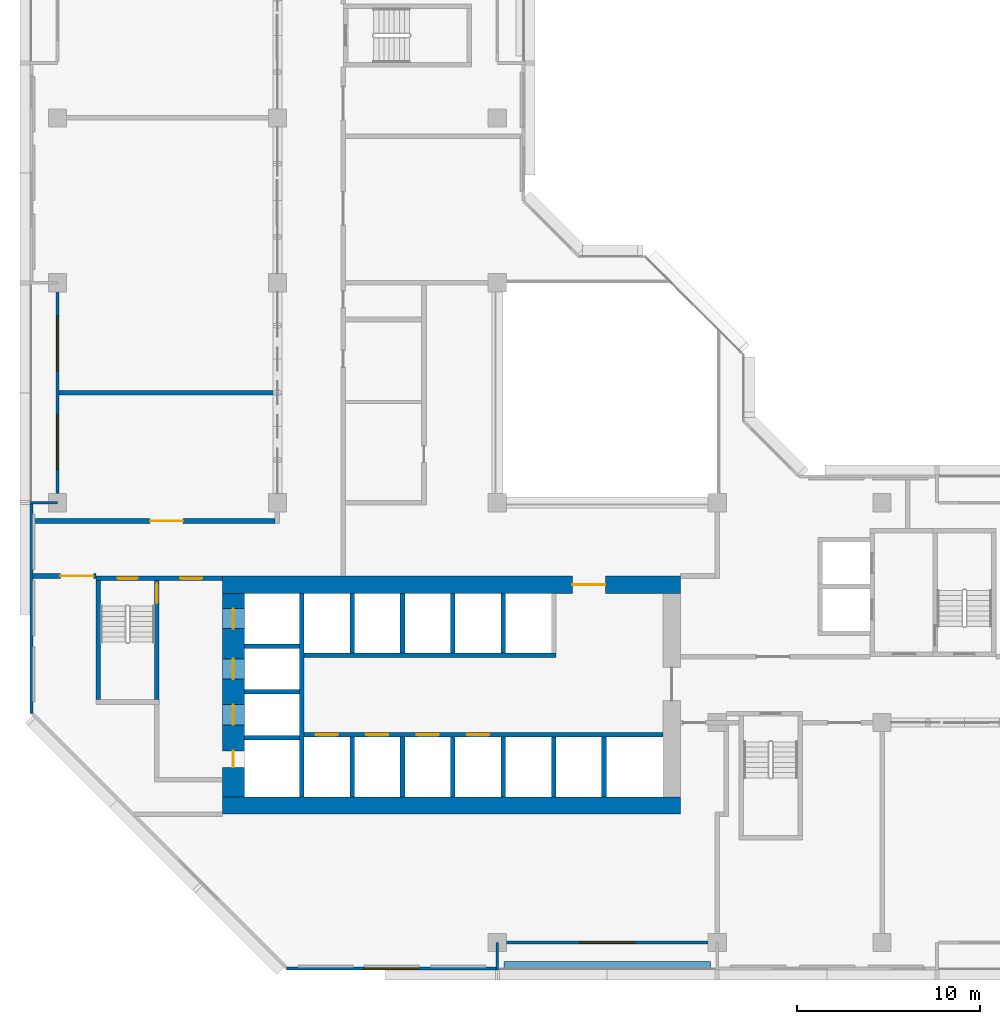
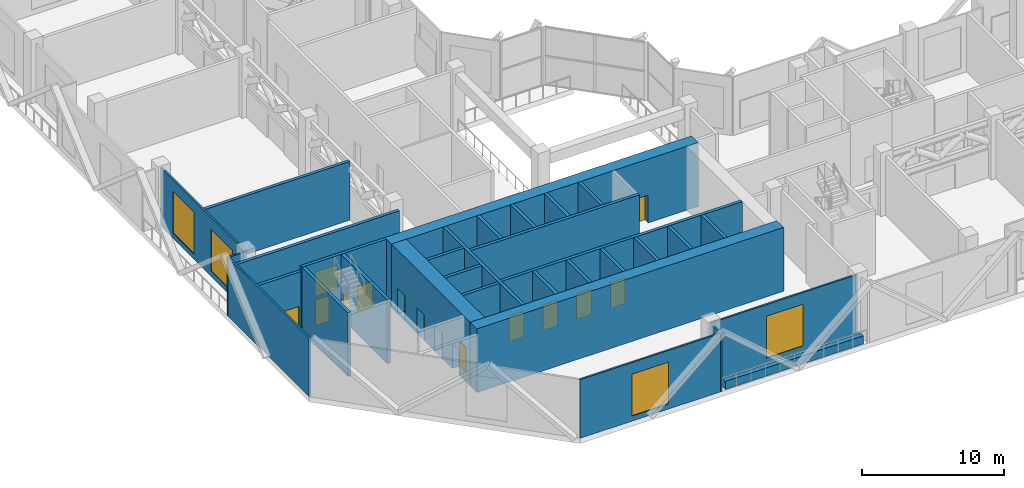
# One storey, part 6 of 15: 32 walls, 14 doors, 4 windows, 18 openings.
"""IFC4 building model written with IfcOpenShell, lengths in metres."""

from ifc_helpers import new_model, si_unit, direction, frame, frame_2d, origin, place, context, subcontext, project, spatial, rectangle, extrude, material, layer, layer_set, type_object, element, fill, save


model = new_model("IFC4")

# Units and contexts
model_context = context("Model", 3, precision=1e-05, world=origin(), true_north=direction((0.0, 1.0)))
body_context = subcontext(model_context, "Body", "Model", "MODEL_VIEW")
ifc_project = project(units=[si_unit("LENGTHUNIT", "METRE"), si_unit("AREAUNIT", "SQUARE_METRE"), si_unit("VOLUMEUNIT", "CUBIC_METRE"), si_unit("PLANEANGLEUNIT", "RADIAN"), si_unit("MASSUNIT", "GRAM", prefix="KILO")], contexts=[model_context])

# Site, building, storey
site_placement = place(None, origin())
site = spatial("IfcSite", under=ifc_project, at=site_placement, CompositionType="ELEMENT")
building_placement = place(site_placement, origin())
building = spatial("IfcBuilding", under=site, at=building_placement, Name="Chenar Terraces", CompositionType="ELEMENT")
storey_placement = place(building_placement, frame((0.0, 0.0, 140.64990234375)))
storey = spatial("IfcBuildingStorey", under=building, at=storey_placement, Name="L33", CompositionType="ELEMENT", Elevation=140.64990234375)

# Wall, openings, doors
ifc_material_1 = material(Name="Concrete C70/85", Category="concrete")
ifc_layer_1 = layer(ifc_material_1, 1.199951171875)
ifc_layer_set_1 = layer_set([ifc_layer_1], Name="Concrete C70/85")
wall_type_1 = type_object("IfcWallType", Name="Core wall 1200 Concrete C70/85", PredefinedType="SHEAR", material=ifc_layer_set_1)
wall_1_placement = place(storey_placement, frame((9.60009765625, 7.949951171875, 0.0), z_axis=(0.0, 0.0, 1.0), x_axis=(0.0, 1.0, 0.0)))
wall_1 = element("IfcWall", 1, at=wall_1_placement, inside=storey, type_object=wall_type_1, Name="Core wall W L33", PredefinedType="SHEAR", context=body_context, shape_type="SweptSolid", body=[
    extrude(rectangle(XDim=11.10009765625, YDim=1.199951171875, at=frame_2d((5.550048828125, 0.0))), origin(), (0.0, 0.0, 1.0), 5.5),
])
opening_1_placement = place(wall_1_placement, frame((3.925048828125, 0.0, 0.0)))
opening_1 = element("IfcOpeningElement", 2, at=opening_1_placement, cuts=wall_1, Name="Opening DL33-LD5", PredefinedType="OPENING", context=body_context, shape_type="SweptSolid", body=[
    extrude(rectangle(XDim=1.10009765625, YDim=2.199951171875, at=frame_2d((0.550048828125, 1.10009765625))), frame((0.0, 0.60986328125, 0.0), z_axis=(0.0, -1.0, 0.0), x_axis=(1.0, 0.0, 0.0)), (0.0, 0.0, 1.0), 1.219970703125),
])
opening_2_placement = place(wall_1_placement, frame((6.425048828125, 0.0, 0.0)))
opening_2 = element("IfcOpeningElement", 3, at=opening_2_placement, cuts=wall_1, Name="Opening DL33-LD6", PredefinedType="OPENING", context=body_context, shape_type="SweptSolid", body=[
    extrude(rectangle(XDim=1.10009765625, YDim=2.199951171875, at=frame_2d((0.550048828125, 1.10009765625))), frame((0.0, 0.60986328125, 0.0), z_axis=(0.0, -1.0, 0.0), x_axis=(1.0, 0.0, 0.0)), (0.0, 0.0, 1.0), 1.219970703125),
])
opening_3_placement = place(wall_1_placement, frame((9.175048828125, 0.0, 0.0)))
opening_3 = element("IfcOpeningElement", 4, at=opening_3_placement, cuts=wall_1, Name="Opening DL33-LD7", PredefinedType="OPENING", context=body_context, shape_type="SweptSolid", body=[
    extrude(rectangle(XDim=1.10009765625, YDim=2.199951171875, at=frame_2d((0.550048828125, 1.10009765625))), frame((0.0, 0.60986328125, 0.0), z_axis=(0.0, -1.0, 0.0), x_axis=(1.0, 0.0, 0.0)), (0.0, 0.0, 1.0), 1.219970703125),
])
opening_4_placement = place(wall_1_placement, frame((1.60009765625, 0.0, 0.0)))
opening_4 = element("IfcOpeningElement", 5, at=opening_4_placement, cuts=wall_1, Name="Opening DL33-C4", PredefinedType="OPENING", context=body_context, shape_type="SweptSolid", body=[
    extrude(rectangle(XDim=0.89990234375, YDim=2.10009765625, at=frame_2d((0.449951171875, 1.050048828125))), frame((0.0, 0.60986328125, 0.0), z_axis=(0.0, -1.0, 0.0), x_axis=(1.0, 0.0, 0.0)), (0.0, 0.0, 1.0), 1.219970703125),
])
ifc_material_2 = material(Name="Stainless steel", Category="steel")
door_type_1 = type_object("IfcDoorType", Name="Lift landing door 1100 x 2200 sliding", OperationType="DOUBLE_DOOR_SLIDING", PredefinedType="DOOR", material=ifc_material_2)
door_1_placement = place(opening_1_placement, origin())
door_1 = element("IfcDoor", 6, at=door_1_placement, inside=storey, type_object=door_type_1, Name="Landing door S1", OperationType="DOUBLE_DOOR_SLIDING", OverallHeight=2.199951171875, OverallWidth=1.10009765625, PredefinedType="DOOR", context=body_context, shape_type="SweptSolid", body=[
    extrude(rectangle(XDim=1.10009765625, YDim=2.199951171875, at=frame_2d((0.550048828125, 1.10009765625))), frame((0.0, 0.02490234375, 0.0), z_axis=(0.0, -1.0, 0.0), x_axis=(1.0, 0.0, 0.0)), (0.0, 0.0, 1.0), 0.050048828125),
])
fill(opening_1, door_1)
door_2_placement = place(opening_2_placement, origin())
door_2 = element("IfcDoor", 7, at=door_2_placement, inside=storey, type_object=door_type_1, Name="Landing door F1", OperationType="DOUBLE_DOOR_SLIDING", OverallHeight=2.199951171875, OverallWidth=1.10009765625, PredefinedType="DOOR", context=body_context, shape_type="SweptSolid", body=[
    extrude(rectangle(XDim=1.10009765625, YDim=2.199951171875, at=frame_2d((0.550048828125, 1.10009765625))), frame((0.0, 0.02490234375, 0.0), z_axis=(0.0, -1.0, 0.0), x_axis=(1.0, 0.0, 0.0)), (0.0, 0.0, 1.0), 0.050048828125),
])
fill(opening_2, door_2)
door_3_placement = place(opening_3_placement, origin())
door_3 = element("IfcDoor", 8, at=door_3_placement, inside=storey, type_object=door_type_1, Name="Landing door F2", OperationType="DOUBLE_DOOR_SLIDING", OverallHeight=2.199951171875, OverallWidth=1.10009765625, PredefinedType="DOOR", context=body_context, shape_type="SweptSolid", body=[
    extrude(rectangle(XDim=1.10009765625, YDim=2.199951171875, at=frame_2d((0.550048828125, 1.10009765625))), frame((0.0, 0.02490234375, 0.0), z_axis=(0.0, -1.0, 0.0), x_axis=(1.0, 0.0, 0.0)), (0.0, 0.0, 1.0), 0.050048828125),
])
fill(opening_3, door_3)
ifc_material_3 = material(Name="Steel-framed fire-resisting door leaf", Category="steel")
door_type_2 = type_object("IfcDoorType", Name="Riser fire door FD60 900 x 2100", OperationType="SINGLE_SWING_LEFT", PredefinedType="DOOR", material=ifc_material_3)
door_4_placement = place(opening_4_placement, frame((0.89990234375, 0.0, 0.0), z_axis=(0.0, 0.0, 1.0), x_axis=(-1.0, 0.0, 0.0)))
door_4 = element("IfcDoor", 9, at=door_4_placement, inside=storey, type_object=door_type_2, Name="Riser door DL33-C4", OperationType="SINGLE_SWING_LEFT", OverallHeight=2.10009765625, OverallWidth=0.89990234375, PredefinedType="DOOR", context=body_context, shape_type="SweptSolid", body=[
    extrude(rectangle(XDim=0.89990234375, YDim=2.10009765625, at=frame_2d((0.449951171875, 1.050048828125))), frame((0.0, 0.02490234375, 0.0), z_axis=(0.0, -1.0, 0.0), x_axis=(1.0, 0.0, 0.0)), (0.0, 0.0, 1.0), 0.050048828125),
])
fill(opening_4, door_4)

# Wall
ifc_material_4 = material(Name="Concrete C70/85", Category="concrete")
ifc_layer_2 = layer(ifc_material_4, 0.25)
ifc_layer_set_2 = layer_set([ifc_layer_2], Name="Concrete C70/85")
wall_type_2 = type_object("IfcWallType", Name="Core wall 250 Concrete C70/85", PredefinedType="SHEAR", material=ifc_layer_set_2)
wall_2_placement = place(storey_placement, frame((13.324951171875, 7.949951171875, 0.0), z_axis=(0.0, 0.0, 1.0), x_axis=(0.0, 1.0, 0.0)))
element("IfcWall", 10, at=wall_2_placement, inside=storey, type_object=wall_type_2, Name="Core wall WI L33", PredefinedType="SHEAR", context=body_context, shape_type="SweptSolid", body=[
    extrude(rectangle(XDim=11.10009765625, YDim=0.25, at=frame_2d((5.550048828125, 0.0))), origin(), (0.0, 0.0, 1.0), 5.5),
])

# Wall, openings, doors
wall_3_placement = place(storey_placement, frame((13.449951171875, 11.324951171875, 0.0), z_axis=(0.0, 0.0, 1.0), x_axis=(1.0, 0.0, 0.0)))
wall_3 = element("IfcWall", 11, at=wall_3_placement, inside=storey, type_object=wall_type_2, Name="Core wall SF L33", PredefinedType="SHEAR", context=body_context, shape_type="SweptSolid", body=[
    extrude(rectangle(XDim=19.60009765625, YDim=0.25, at=frame_2d((9.800048828125, 0.0))), origin(), (0.0, 0.0, 1.0), 5.5),
])
opening_5_placement = place(wall_3_placement, frame((0.64990234375, 0.0, 0.0)))
opening_5 = element("IfcOpeningElement", 12, at=opening_5_placement, cuts=wall_3, Name="Opening DL33-LD1", PredefinedType="OPENING", context=body_context, shape_type="SweptSolid", body=[
    extrude(rectangle(XDim=1.199951171875, YDim=2.199951171875, at=frame_2d((0.60009765625, 1.10009765625))), frame((0.0, 0.135009765625, 0.0), z_axis=(0.0, -1.0, 0.0), x_axis=(1.0, 0.0, 0.0)), (0.0, 0.0, 1.0), 0.27001953125),
])
opening_6_placement = place(wall_3_placement, frame((3.39990234375, 0.0, 0.0)))
opening_6 = element("IfcOpeningElement", 13, at=opening_6_placement, cuts=wall_3, Name="Opening DL33-LD2", PredefinedType="OPENING", context=body_context, shape_type="SweptSolid", body=[
    extrude(rectangle(XDim=1.199951171875, YDim=2.199951171875, at=frame_2d((0.60009765625, 1.10009765625))), frame((0.0, 0.135009765625, 0.0), z_axis=(0.0, -1.0, 0.0), x_axis=(1.0, 0.0, 0.0)), (0.0, 0.0, 1.0), 0.27001953125),
])
opening_7_placement = place(wall_3_placement, frame((6.14990234375, 0.0, 0.0)))
opening_7 = element("IfcOpeningElement", 14, at=opening_7_placement, cuts=wall_3, Name="Opening DL33-LD3", PredefinedType="OPENING", context=body_context, shape_type="SweptSolid", body=[
    extrude(rectangle(XDim=1.199951171875, YDim=2.199951171875, at=frame_2d((0.60009765625, 1.10009765625))), frame((0.0, 0.135009765625, 0.0), z_axis=(0.0, -1.0, 0.0), x_axis=(1.0, 0.0, 0.0)), (0.0, 0.0, 1.0), 0.27001953125),
])
opening_8_placement = place(wall_3_placement, frame((8.89990234375, 0.0, 0.0)))
opening_8 = element("IfcOpeningElement", 15, at=opening_8_placement, cuts=wall_3, Name="Opening DL33-LD4", PredefinedType="OPENING", context=body_context, shape_type="SweptSolid", body=[
    extrude(rectangle(XDim=1.199951171875, YDim=2.199951171875, at=frame_2d((0.60009765625, 1.10009765625))), frame((0.0, 0.135009765625, 0.0), z_axis=(0.0, -1.0, 0.0), x_axis=(1.0, 0.0, 0.0)), (0.0, 0.0, 1.0), 0.27001953125),
])
ifc_material_5 = material(Name="Stainless steel", Category="steel")
door_type_3 = type_object("IfcDoorType", Name="Lift landing door 1200 x 2200 sliding", OperationType="DOUBLE_DOOR_SLIDING", PredefinedType="DOOR", material=ifc_material_5)
door_5_placement = place(opening_5_placement, origin())
door_5 = element("IfcDoor", 16, at=door_5_placement, inside=storey, type_object=door_type_3, Name="Landing door L1", OperationType="DOUBLE_DOOR_SLIDING", OverallHeight=2.199951171875, OverallWidth=1.199951171875, PredefinedType="DOOR", context=body_context, shape_type="SweptSolid", body=[
    extrude(rectangle(XDim=1.199951171875, YDim=2.199951171875, at=frame_2d((0.60009765625, 1.10009765625))), frame((0.0, 0.02490234375, 0.0), z_axis=(0.0, -1.0, 0.0), x_axis=(1.0, 0.0, 0.0)), (0.0, 0.0, 1.0), 0.050048828125),
])
fill(opening_5, door_5)
door_6_placement = place(opening_6_placement, origin())
door_6 = element("IfcDoor", 17, at=door_6_placement, inside=storey, type_object=door_type_3, Name="Landing door L2", OperationType="DOUBLE_DOOR_SLIDING", OverallHeight=2.199951171875, OverallWidth=1.199951171875, PredefinedType="DOOR", context=body_context, shape_type="SweptSolid", body=[
    extrude(rectangle(XDim=1.199951171875, YDim=2.199951171875, at=frame_2d((0.60009765625, 1.10009765625))), frame((0.0, 0.02490234375, 0.0), z_axis=(0.0, -1.0, 0.0), x_axis=(1.0, 0.0, 0.0)), (0.0, 0.0, 1.0), 0.050048828125),
])
fill(opening_6, door_6)
door_7_placement = place(opening_7_placement, origin())
door_7 = element("IfcDoor", 18, at=door_7_placement, inside=storey, type_object=door_type_3, Name="Landing door L3", OperationType="DOUBLE_DOOR_SLIDING", OverallHeight=2.199951171875, OverallWidth=1.199951171875, PredefinedType="DOOR", context=body_context, shape_type="SweptSolid", body=[
    extrude(rectangle(XDim=1.199951171875, YDim=2.199951171875, at=frame_2d((0.60009765625, 1.10009765625))), frame((0.0, 0.02490234375, 0.0), z_axis=(0.0, -1.0, 0.0), x_axis=(1.0, 0.0, 0.0)), (0.0, 0.0, 1.0), 0.050048828125),
])
fill(opening_7, door_7)
door_8_placement = place(opening_8_placement, origin())
door_8 = element("IfcDoor", 19, at=door_8_placement, inside=storey, type_object=door_type_3, Name="Landing door L4", OperationType="DOUBLE_DOOR_SLIDING", OverallHeight=2.199951171875, OverallWidth=1.199951171875, PredefinedType="DOOR", context=body_context, shape_type="SweptSolid", body=[
    extrude(rectangle(XDim=1.199951171875, YDim=2.199951171875, at=frame_2d((0.60009765625, 1.10009765625))), frame((0.0, 0.02490234375, 0.0), z_axis=(0.0, -1.0, 0.0), x_axis=(1.0, 0.0, 0.0)), (0.0, 0.0, 1.0), 0.050048828125),
])
fill(opening_8, door_8)

# Walls
wall_4_placement = place(storey_placement, frame((13.449951171875, 15.675048828125, 0.0), z_axis=(0.0, 0.0, 1.0), x_axis=(1.0, 0.0, 0.0)))
element("IfcWall", 20, at=wall_4_placement, inside=storey, type_object=wall_type_2, Name="Core wall NF L33", PredefinedType="SHEAR", context=body_context, shape_type="SweptSolid", body=[
    extrude(rectangle(XDim=13.75, YDim=0.25, at=frame_2d((6.875, 0.0))), origin(), (0.0, 0.0, 1.0), 5.5),
])
for number, where, z_axis, x_axis, name in (
    (21, (10.199951171875, 11.175048828125, 0.0), (0.0, 0.0, 1.0), (1.0, 0.0, 0.0), "Core wall HW0 L33"),
    (22, (10.199951171875, 13.675048828125, 0.0), (0.0, 0.0, 1.0), (1.0, 0.0, 0.0), "Core wall HW1 L33"),
    (23, (10.199951171875, 16.175048828125, 0.0), (0.0, 0.0, 1.0), (1.0, 0.0, 0.0), "Core wall HW2 L33"),
):
    element("IfcWall", number, at=place(storey_placement, frame(where, z_axis=z_axis, x_axis=x_axis)), inside=storey, type_object=wall_type_2, Name=name, PredefinedType="SHEAR", context=body_context, shape_type="SweptSolid", body=[
        extrude(rectangle(XDim=3.0, YDim=0.25, at=frame_2d((1.5, 0.0))), origin(), (0.0, 0.0, 1.0), 5.5),
    ])
for number, where, z_axis, x_axis, name in (
    (24, (16.074951171875, 7.949951171875, 0.0), (0.0, 0.0, 1.0), (0.0, 1.0, 0.0), "Core wall SS0 L33"),
    (25, (18.824951171875, 7.949951171875, 0.0), (0.0, 0.0, 1.0), (0.0, 1.0, 0.0), "Core wall SS1 L33"),
    (26, (21.574951171875, 7.949951171875, 0.0), (0.0, 0.0, 1.0), (0.0, 1.0, 0.0), "Core wall SS2 L33"),
    (27, (24.324951171875, 7.949951171875, 0.0), (0.0, 0.0, 1.0), (0.0, 1.0, 0.0), "Core wall SS3 L33"),
    (28, (27.074951171875, 7.949951171875, 0.0), (0.0, 0.0, 1.0), (0.0, 1.0, 0.0), "Core wall SS4 L33"),
    (29, (29.824951171875, 7.949951171875, 0.0), (0.0, 0.0, 1.0), (0.0, 1.0, 0.0), "Core wall SS5 L33"),
    (30, (16.074951171875, 15.800048828125, 0.0), (0.0, 0.0, 1.0), (0.0, 1.0, 0.0), "Core wall NS0 L33"),
    (31, (18.824951171875, 15.800048828125, 0.0), (0.0, 0.0, 1.0), (0.0, 1.0, 0.0), "Core wall NS1 L33"),
    (32, (21.574951171875, 15.800048828125, 0.0), (0.0, 0.0, 1.0), (0.0, 1.0, 0.0), "Core wall NS2 L33"),
    (33, (24.324951171875, 15.800048828125, 0.0), (0.0, 0.0, 1.0), (0.0, 1.0, 0.0), "Core wall NS3 L33"),
):
    element("IfcWall", number, at=place(storey_placement, frame(where, z_axis=z_axis, x_axis=x_axis)), inside=storey, type_object=wall_type_2, Name=name, PredefinedType="SHEAR", context=body_context, shape_type="SweptSolid", body=[
        extrude(rectangle(XDim=3.25, YDim=0.25, at=frame_2d((1.625, 0.0))), origin(), (0.0, 0.0, 1.0), 5.5),
    ])

# Wall, openings, doors
wall_5_placement = place(storey_placement, frame((2.10009765625, 19.875, 0.0), z_axis=(0.0, 0.0, 1.0), x_axis=(1.0, 0.0, 0.0)))
wall_5 = element("IfcWall", 34, at=wall_5_placement, inside=storey, type_object=wall_type_2, Name="Core wall A_N L33", PredefinedType="SHEAR", context=body_context, shape_type="SweptSolid", body=[
    extrude(rectangle(XDim=6.89990234375, YDim=0.25, at=frame_2d((3.449951171875, 0.0))), origin(), (0.0, 0.0, 1.0), 5.5),
])
opening_9_placement = place(wall_5_placement, frame((1.175048828125, 0.0, 0.0)))
opening_9 = element("IfcOpeningElement", 35, at=opening_9_placement, cuts=wall_5, Name="Opening DL33-C5", PredefinedType="OPENING", context=body_context, shape_type="SweptSolid", body=[
    extrude(rectangle(XDim=1.10009765625, YDim=2.199951171875, at=frame_2d((0.550048828125, 1.10009765625))), frame((0.0, 0.135009765625, 0.0), z_axis=(0.0, -1.0, 0.0), x_axis=(1.0, 0.0, 0.0)), (0.0, 0.0, 1.0), 0.27001953125),
])
opening_10_placement = place(wall_5_placement, frame((4.60009765625, 0.0, 0.0)))
opening_10 = element("IfcOpeningElement", 36, at=opening_10_placement, cuts=wall_5, Name="Opening DL33-C6", PredefinedType="OPENING", context=body_context, shape_type="SweptSolid", body=[
    extrude(rectangle(XDim=1.199951171875, YDim=2.199951171875, at=frame_2d((0.60009765625, 1.10009765625))), frame((0.0, 0.135009765625, 0.0), z_axis=(0.0, -1.0, 0.0), x_axis=(1.0, 0.0, 0.0)), (0.0, 0.0, 1.0), 0.27001953125),
])
ifc_material_6 = material(Name="Steel-framed fire-resisting door leaf", Category="steel")
door_type_4 = type_object("IfcDoorType", Name="Lobby fire door FD60 1200 x 2200", OperationType="SINGLE_SWING_LEFT", PredefinedType="DOOR", material=ifc_material_6)
door_9_placement = place(opening_10_placement, frame((1.199951171875, 0.0, 0.0), z_axis=(0.0, 0.0, 1.0), x_axis=(-1.0, 0.0, 0.0)))
door_9 = element("IfcDoor", 37, at=door_9_placement, inside=storey, type_object=door_type_4, Name="Core door DL33-C6", OperationType="SINGLE_SWING_LEFT", OverallHeight=2.199951171875, OverallWidth=1.199951171875, PredefinedType="DOOR", context=body_context, shape_type="SweptSolid", body=[
    extrude(rectangle(XDim=1.199951171875, YDim=2.199951171875, at=frame_2d((0.60009765625, 1.10009765625))), frame((0.0, 0.02490234375, 0.0), z_axis=(0.0, -1.0, 0.0), x_axis=(1.0, 0.0, 0.0)), (0.0, 0.0, 1.0), 0.050048828125),
])
fill(opening_10, door_9)
ifc_material_7 = material(Name="Steel-framed fire-resisting door leaf", Category="steel")
door_type_5 = type_object("IfcDoorType", Name="Stair fire door FD60 1100 x 2200", OperationType="SINGLE_SWING_LEFT", PredefinedType="DOOR", material=ifc_material_7)
door_10_placement = place(opening_9_placement, origin())
door_10 = element("IfcDoor", 38, at=door_10_placement, inside=storey, type_object=door_type_5, Name="Stair door DL33-C5", OperationType="SINGLE_SWING_LEFT", OverallHeight=2.199951171875, OverallWidth=1.10009765625, PredefinedType="DOOR", context=body_context, shape_type="SweptSolid", body=[
    extrude(rectangle(XDim=1.10009765625, YDim=2.199951171875, at=frame_2d((0.550048828125, 1.10009765625))), frame((0.0, 0.02490234375, 0.0), z_axis=(0.0, -1.0, 0.0), x_axis=(1.0, 0.0, 0.0)), (0.0, 0.0, 1.0), 0.050048828125),
])
fill(opening_9, door_10)

# Wall
wall_6_placement = place(storey_placement, frame((2.22509765625, 13.25, 0.0), z_axis=(0.0, 0.0, 1.0), x_axis=(0.0, 1.0, 0.0)))
element("IfcWall", 39, at=wall_6_placement, inside=storey, type_object=wall_type_2, Name="Core wall ST1_W L33", PredefinedType="SHEAR", context=body_context, shape_type="SweptSolid", body=[
    extrude(rectangle(XDim=6.5, YDim=0.25, at=frame_2d((3.25, 0.0))), origin(), (0.0, 0.0, 1.0), 5.5),
])

# Wall, opening, door
wall_7_placement = place(storey_placement, frame((5.425048828125, 13.25, 0.0), z_axis=(0.0, 0.0, 1.0), x_axis=(0.0, 1.0, 0.0)))
wall_7 = element("IfcWall", 40, at=wall_7_placement, inside=storey, type_object=wall_type_2, Name="Core wall ST1_E L33", PredefinedType="SHEAR", context=body_context, shape_type="SweptSolid", body=[
    extrude(rectangle(XDim=6.5, YDim=0.25, at=frame_2d((3.25, 0.0))), origin(), (0.0, 0.0, 1.0), 5.5),
])
opening_11_placement = place(wall_7_placement, frame((5.25, 0.0, 0.0)))
opening_11 = element("IfcOpeningElement", 41, at=opening_11_placement, cuts=wall_7, Name="Opening DL33-C3", PredefinedType="OPENING", context=body_context, shape_type="SweptSolid", body=[
    extrude(rectangle(XDim=1.10009765625, YDim=2.199951171875, at=frame_2d((0.550048828125, 1.10009765625))), frame((0.0, 0.135009765625, 0.0), z_axis=(0.0, -1.0, 0.0), x_axis=(1.0, 0.0, 0.0)), (0.0, 0.0, 1.0), 0.27001953125),
])
door_11_placement = place(opening_11_placement, origin())
door_11 = element("IfcDoor", 42, at=door_11_placement, inside=storey, type_object=door_type_5, Name="Stair door DL33-C3", OperationType="SINGLE_SWING_RIGHT", OverallHeight=2.199951171875, OverallWidth=1.10009765625, PredefinedType="DOOR", context=body_context, shape_type="SweptSolid", body=[
    extrude(rectangle(XDim=1.10009765625, YDim=2.199951171875, at=frame_2d((0.550048828125, 1.10009765625))), frame((0.0, 0.02490234375, 0.0), z_axis=(0.0, -1.0, 0.0), x_axis=(1.0, 0.0, 0.0)), (0.0, 0.0, 1.0), 0.050048828125),
])
fill(opening_11, door_11)

# Wall
ifc_material_8 = material(Name="Concrete C70/85", Category="concrete")
ifc_layer_3 = layer(ifc_material_8, 0.949951171875)
ifc_layer_set_3 = layer_set([ifc_layer_3], Name="Concrete C70/85")
wall_type_3 = type_object("IfcWallType", Name="Core wall 950 Concrete C70/85", PredefinedType="SHEAR", material=ifc_layer_set_3)
wall_8_placement = place(storey_placement, frame((9.0, 7.47509765625, 0.0), z_axis=(0.0, 0.0, 1.0), x_axis=(1.0, 0.0, 0.0)))
element("IfcWall", 43, at=wall_8_placement, inside=storey, type_object=wall_type_3, Name="Core wall S L33", PredefinedType="SHEAR", context=body_context, shape_type="SweptSolid", body=[
    extrude(rectangle(XDim=25.0, YDim=0.949951171875, at=frame_2d((12.5, 0.0))), origin(), (0.0, 0.0, 1.0), 5.5),
])

# Wall, opening, door
wall_9_placement = place(storey_placement, frame((9.0, 19.52490234375, 0.0), z_axis=(0.0, 0.0, 1.0), x_axis=(1.0, 0.0, 0.0)))
wall_9 = element("IfcWall", 44, at=wall_9_placement, inside=storey, type_object=wall_type_3, Name="Core wall N L33", PredefinedType="SHEAR", context=body_context, shape_type="SweptSolid", body=[
    extrude(rectangle(XDim=25.0, YDim=0.949951171875, at=frame_2d((12.5, 0.0))), origin(), (0.0, 0.0, 1.0), 5.5),
])
opening_12_placement = place(wall_9_placement, frame((19.10009765625, 0.0, 0.0)))
opening_12 = element("IfcOpeningElement", 45, at=opening_12_placement, cuts=wall_9, Name="Opening DL33-C2", PredefinedType="OPENING", context=body_context, shape_type="SweptSolid", body=[
    extrude(rectangle(XDim=1.800048828125, YDim=2.39990234375, at=frame_2d((0.89990234375, 1.199951171875))), frame((0.0, 0.48486328125, 0.0), z_axis=(0.0, -1.0, 0.0), x_axis=(1.0, 0.0, 0.0)), (0.0, 0.0, 1.0), 0.969970703125),
])
ifc_material_9 = material(Name="Steel-framed fire-resisting door leaf", Category="steel")
door_type_6 = type_object("IfcDoorType", Name="Core entrance double fire door FD60 1800 x 2400", OperationType="DOUBLE_DOOR_SINGLE_SWING", PredefinedType="DOOR", material=ifc_material_9)
door_12_placement = place(opening_12_placement, frame((1.800048828125, 0.0, 0.0), z_axis=(0.0, 0.0, 1.0), x_axis=(-1.0, 0.0, 0.0)))
door_12 = element("IfcDoor", 46, at=door_12_placement, inside=storey, type_object=door_type_6, Name="Core door DL33-C2", OperationType="DOUBLE_DOOR_SINGLE_SWING", OverallHeight=2.39990234375, OverallWidth=1.800048828125, PredefinedType="DOOR", context=body_context, shape_type="SweptSolid", body=[
    extrude(rectangle(XDim=1.800048828125, YDim=2.39990234375, at=frame_2d((0.89990234375, 1.199951171875))), frame((0.0, 0.02490234375, 0.0), z_axis=(0.0, -1.0, 0.0), x_axis=(1.0, 0.0, 0.0)), (0.0, 0.0, 1.0), 0.050048828125),
])
fill(opening_12, door_12)

# Wall
ifc_material_10 = material(Name="Aluminium framed glazing", Category="aluminium")
ifc_layer_4 = layer(ifc_material_10, 0.14990234375)
ifc_layer_set_4 = layer_set([ifc_layer_4], Name="Aluminium framed glazing")
wall_type_4 = type_object("IfcWallType", Name="Glazed flush facade wall 150", PredefinedType="SOLIDWALL", material=ifc_layer_set_4)
wall_10_placement = place(storey_placement, frame((-1.425048828125, 23.925048828125, 0.0), z_axis=(0.0, 0.0, 1.0), x_axis=(0.0, -1.0, 0.0)))
element("IfcWall", 47, at=wall_10_placement, inside=storey, type_object=wall_type_4, Name="Glazed flush facade wall", PredefinedType="SOLIDWALL", context=body_context, shape_type="SweptSolid", body=[
    extrude(rectangle(XDim=11.425048828125, YDim=0.14990234375, at=frame_2d((5.71240234375, 0.0))), origin(), (0.0, 0.0, 1.0), 5.050048828125),
])

# Wall, opening, window
wall_11_placement = place(storey_placement, frame((12.5, -1.425048828125, 0.0), z_axis=(0.0, 0.0, 1.0), x_axis=(1.0, 0.0, 0.0)))
wall_11 = element("IfcWall", 48, at=wall_11_placement, inside=storey, type_object=wall_type_4, Name="Glazed flush facade wall", PredefinedType="SOLIDWALL", context=body_context, shape_type="SweptSolid", body=[
    extrude(rectangle(XDim=11.425048828125, YDim=0.14990234375, at=frame_2d((5.71240234375, 0.0))), origin(), (0.0, 0.0, 1.0), 5.050048828125),
])
opening_13_placement = place(wall_11_placement, frame((4.21240234375, 0.0, 0.449951171875)))
opening_13 = element("IfcOpeningElement", 49, at=opening_13_placement, cuts=wall_11, Name="Opening W300x360", PredefinedType="OPENING", context=body_context, shape_type="SweptSolid", body=[
    extrude(rectangle(XDim=3.0, YDim=3.60009765625, at=frame_2d((1.5, 1.800048828125))), frame((0.0, 0.0849609375, 0.0), z_axis=(0.0, -1.0, 0.0), x_axis=(1.0, 0.0, 0.0)), (0.0, 0.0, 1.0), 0.169921875),
])
ifc_material_11 = material(Name="Low emissivity double glazing, aluminium frame", Category="aluminium")
window_type = type_object("IfcWindowType", Name="Fixed light 3000 x 3600", PartitioningType="SINGLE_PANEL", PredefinedType="WINDOW", material=ifc_material_11)
window_1_placement = place(opening_13_placement, origin())
window_1 = element("IfcWindow", 50, at=window_1_placement, inside=storey, type_object=window_type, Name="Window", OverallHeight=3.60009765625, OverallWidth=3.0, PartitioningType="SINGLE_PANEL", PredefinedType="WINDOW", context=body_context, shape_type="SweptSolid", body=[
    extrude(rectangle(XDim=3.0, YDim=3.60009765625, at=frame_2d((1.5, 1.800048828125))), frame((0.0, 0.030029296875, 0.0), z_axis=(0.0, -1.0, 0.0), x_axis=(1.0, 0.0, 0.0)), (0.0, 0.0, 1.0), 0.06005859375),
])
fill(opening_13, window_1)

# Wall, openings, windows
ifc_material_12 = material(Name="Aluminium framed glazing", Category="aluminium")
ifc_layer_5 = layer(ifc_material_12, 0.14990234375)
ifc_layer_set_5 = layer_set([ifc_layer_5], Name="Aluminium framed glazing")
wall_type_5 = type_object("IfcWallType", Name="Glazed loggia back wall 150", PredefinedType="SOLIDWALL", material=ifc_layer_set_5)
wall_12_placement = place(storey_placement, frame((0.0, 35.925048828125, 0.0), z_axis=(0.0, 0.0, 1.0), x_axis=(0.0, -1.0, 0.0)))
wall_12 = element("IfcWall", 51, at=wall_12_placement, inside=storey, type_object=wall_type_5, Name="Glazed loggia back wall", PredefinedType="SOLIDWALL", context=body_context, shape_type="SweptSolid", body=[
    extrude(rectangle(XDim=11.85009765625, YDim=0.14990234375, at=frame_2d((5.925048828125, 0.0))), origin(), (0.0, 0.0, 1.0), 5.050048828125),
])
opening_14_placement = place(wall_12_placement, frame((1.72509765625, 0.0, 0.449951171875)))
opening_14 = element("IfcOpeningElement", 52, at=opening_14_placement, cuts=wall_12, Name="Opening W300x360", PredefinedType="OPENING", context=body_context, shape_type="SweptSolid", body=[
    extrude(rectangle(XDim=3.0, YDim=3.60009765625, at=frame_2d((1.5, 1.800048828125))), frame((0.0, 0.0849609375, 0.0), z_axis=(0.0, -1.0, 0.0), x_axis=(1.0, 0.0, 0.0)), (0.0, 0.0, 1.0), 0.169921875),
])
opening_15_placement = place(wall_12_placement, frame((7.125, 0.0, 0.449951171875)))
opening_15 = element("IfcOpeningElement", 53, at=opening_15_placement, cuts=wall_12, Name="Opening W300x360", PredefinedType="OPENING", context=body_context, shape_type="SweptSolid", body=[
    extrude(rectangle(XDim=3.0, YDim=3.60009765625, at=frame_2d((1.5, 1.800048828125))), frame((0.0, 0.0849609375, 0.0), z_axis=(0.0, -1.0, 0.0), x_axis=(1.0, 0.0, 0.0)), (0.0, 0.0, 1.0), 0.169921875),
])
window_2_placement = place(opening_14_placement, origin())
window_2 = element("IfcWindow", 54, at=window_2_placement, inside=storey, type_object=window_type, Name="Window", OverallHeight=3.60009765625, OverallWidth=3.0, PartitioningType="SINGLE_PANEL", PredefinedType="WINDOW", context=body_context, shape_type="SweptSolid", body=[
    extrude(rectangle(XDim=3.0, YDim=3.60009765625, at=frame_2d((1.5, 1.800048828125))), frame((0.0, 0.030029296875, 0.0), z_axis=(0.0, -1.0, 0.0), x_axis=(1.0, 0.0, 0.0)), (0.0, 0.0, 1.0), 0.06005859375),
])
fill(opening_14, window_2)
window_3_placement = place(opening_15_placement, origin())
window_3 = element("IfcWindow", 55, at=window_3_placement, inside=storey, type_object=window_type, Name="Window", OverallHeight=3.60009765625, OverallWidth=3.0, PartitioningType="SINGLE_PANEL", PredefinedType="WINDOW", context=body_context, shape_type="SweptSolid", body=[
    extrude(rectangle(XDim=3.0, YDim=3.60009765625, at=frame_2d((1.5, 1.800048828125))), frame((0.0, 0.030029296875, 0.0), z_axis=(0.0, -1.0, 0.0), x_axis=(1.0, 0.0, 0.0)), (0.0, 0.0, 1.0), 0.06005859375),
])
fill(opening_15, window_3)

# Wall, opening, window
wall_13_placement = place(storey_placement, frame((24.074951171875, 0.0, 0.0), z_axis=(0.0, 0.0, 1.0), x_axis=(1.0, 0.0, 0.0)))
wall_13 = element("IfcWall", 56, at=wall_13_placement, inside=storey, type_object=wall_type_5, Name="Glazed loggia back wall", PredefinedType="SOLIDWALL", context=body_context, shape_type="SweptSolid", body=[
    extrude(rectangle(XDim=11.85009765625, YDim=0.14990234375, at=frame_2d((5.925048828125, 0.0))), origin(), (0.0, 0.0, 1.0), 5.050048828125),
])
opening_16_placement = place(wall_13_placement, frame((4.425048828125, 0.0, 0.449951171875)))
opening_16 = element("IfcOpeningElement", 57, at=opening_16_placement, cuts=wall_13, Name="Opening W300x360", PredefinedType="OPENING", context=body_context, shape_type="SweptSolid", body=[
    extrude(rectangle(XDim=3.0, YDim=3.60009765625, at=frame_2d((1.5, 1.800048828125))), frame((0.0, 0.0849609375, 0.0), z_axis=(0.0, -1.0, 0.0), x_axis=(1.0, 0.0, 0.0)), (0.0, 0.0, 1.0), 0.169921875),
])
window_4_placement = place(opening_16_placement, origin())
window_4 = element("IfcWindow", 58, at=window_4_placement, inside=storey, type_object=window_type, Name="Window", OverallHeight=3.60009765625, OverallWidth=3.0, PartitioningType="SINGLE_PANEL", PredefinedType="WINDOW", context=body_context, shape_type="SweptSolid", body=[
    extrude(rectangle(XDim=3.0, YDim=3.60009765625, at=frame_2d((1.5, 1.800048828125))), frame((0.0, 0.030029296875, 0.0), z_axis=(0.0, -1.0, 0.0), x_axis=(1.0, 0.0, 0.0)), (0.0, 0.0, 1.0), 0.06005859375),
])
fill(opening_16, window_4)

# Walls
ifc_material_13 = material(Name="Terracotta cladding on insulated backing", Category="masonry")
ifc_layer_6 = layer(ifc_material_13, 0.14990234375)
ifc_layer_set_6 = layer_set([ifc_layer_6], Name="Terracotta cladding on insulated backing")
wall_type_6 = type_object("IfcWallType", Name="Loggia return wall 150", PredefinedType="SOLIDWALL", material=ifc_layer_set_6)
for number, where, z_axis, x_axis, name in (
    (59, (-1.5, 24.0, 0.0), (0.0, 0.0, 1.0), (1.0, 0.0, 0.0), "Loggia return wall"),
    (60, (24.0, -1.5, 0.0), (0.0, 0.0, 1.0), (0.0, 1.0, 0.0), "Loggia return wall"),
):
    element("IfcWall", number, at=place(storey_placement, frame(where, z_axis=z_axis, x_axis=x_axis)), inside=storey, type_object=wall_type_6, Name=name, PredefinedType="SOLIDWALL", context=body_context, shape_type="SweptSolid", body=[
        extrude(rectangle(XDim=1.5, YDim=0.14990234375, at=frame_2d((0.75, 0.0))), origin(), (0.0, 0.0, 1.0), 5.050048828125),
    ])

# Wall, opening, door
ifc_material_14 = material(Name="Fire-board and steel stud wall with mineral wool", Category="steel")
ifc_layer_7 = layer(ifc_material_14, 0.25)
ifc_layer_set_7 = layer_set([ifc_layer_7], Name="Fire-board and steel stud wall with mineral wool")
wall_type_7 = type_object("IfcWallType", Name="Refuge compartment wall 250", PredefinedType="PARTITIONING", material=ifc_layer_set_7)
wall_14_placement = place(storey_placement, frame((-1.35009765625, 20.0, 0.0), z_axis=(0.0, 0.0, 1.0), x_axis=(1.0, 0.0, 0.0)))
wall_14 = element("IfcWall", 61, at=wall_14_placement, inside=storey, type_object=wall_type_7, Name="Partition L33-001", PredefinedType="PARTITIONING", context=body_context, shape_type="SweptSolid", body=[
    extrude(rectangle(XDim=3.4501953125, YDim=0.25, at=frame_2d((1.72509765625, 0.0))), origin(), (0.0, 0.0, 1.0), 5.050048828125),
])
opening_17_placement = place(wall_14_placement, frame((1.5, 0.0, 0.0)))
opening_17 = element("IfcOpeningElement", 62, at=opening_17_placement, cuts=wall_14, Name="Opening DL33-17", PredefinedType="OPENING", context=body_context, shape_type="SweptSolid", body=[
    extrude(rectangle(XDim=1.800048828125, YDim=2.10009765625, at=frame_2d((0.89990234375, 1.050048828125))), frame((0.0, 0.135009765625, 0.0), z_axis=(0.0, -1.0, 0.0), x_axis=(1.0, 0.0, 0.0)), (0.0, 0.0, 1.0), 0.27001953125),
])
ifc_material_15 = material(Name="Steel-framed fire-resisting door leaf", Category="steel")
door_type_7 = type_object("IfcDoorType", Name="Fire double door FD120 1800 x 2100", OperationType="DOUBLE_DOOR_SINGLE_SWING", PredefinedType="DOOR", material=ifc_material_15)
door_13_placement = place(opening_17_placement, frame((1.800048828125, 0.0, 0.0), z_axis=(0.0, 0.0, 1.0), x_axis=(-1.0, 0.0, 0.0)))
door_13 = element("IfcDoor", 63, at=door_13_placement, inside=storey, type_object=door_type_7, Name="Door DL33-17", OperationType="DOUBLE_DOOR_SINGLE_SWING", OverallHeight=2.10009765625, OverallWidth=1.800048828125, PredefinedType="DOOR", context=body_context, shape_type="SweptSolid", body=[
    extrude(rectangle(XDim=1.800048828125, YDim=2.10009765625, at=frame_2d((0.89990234375, 1.050048828125))), frame((0.0, 0.02490234375, 0.0), z_axis=(0.0, -1.0, 0.0), x_axis=(1.0, 0.0, 0.0)), (0.0, 0.0, 1.0), 0.050048828125),
])
fill(opening_17, door_13)

wall_15_placement = place(storey_placement, frame((-1.35009765625, 23.0, 0.0), z_axis=(0.0, 0.0, 1.0), x_axis=(1.0, 0.0, 0.0)))
wall_15 = element("IfcWall", 64, at=wall_15_placement, inside=storey, type_object=wall_type_7, Name="Partition L33-002", PredefinedType="PARTITIONING", context=body_context, shape_type="SweptSolid", body=[
    extrude(rectangle(XDim=13.22509765625, YDim=0.25, at=frame_2d((6.612548828125, 0.0))), origin(), (0.0, 0.0, 1.0), 5.050048828125),
])
opening_18_placement = place(wall_15_placement, frame((6.39990234375, 0.0, 0.0)))
opening_18 = element("IfcOpeningElement", 65, at=opening_18_placement, cuts=wall_15, Name="Opening DL33-12", PredefinedType="OPENING", context=body_context, shape_type="SweptSolid", body=[
    extrude(rectangle(XDim=1.800048828125, YDim=2.10009765625, at=frame_2d((0.89990234375, 1.050048828125))), frame((0.0, 0.135009765625, 0.0), z_axis=(0.0, -1.0, 0.0), x_axis=(1.0, 0.0, 0.0)), (0.0, 0.0, 1.0), 0.27001953125),
])
door_14_placement = place(opening_18_placement, origin())
door_14 = element("IfcDoor", 66, at=door_14_placement, inside=storey, type_object=door_type_7, Name="Door DL33-12", OperationType="DOUBLE_DOOR_SINGLE_SWING", OverallHeight=2.10009765625, OverallWidth=1.800048828125, PredefinedType="DOOR", context=body_context, shape_type="SweptSolid", body=[
    extrude(rectangle(XDim=1.800048828125, YDim=2.10009765625, at=frame_2d((0.89990234375, 1.050048828125))), frame((0.0, 0.02490234375, 0.0), z_axis=(0.0, -1.0, 0.0), x_axis=(1.0, 0.0, 0.0)), (0.0, 0.0, 1.0), 0.050048828125),
])
fill(opening_18, door_14)

# Walls
wall_16_placement = place(storey_placement, frame((0.073974609375, 30.0, 0.0), z_axis=(0.0, 0.0, 1.0), x_axis=(1.0, 0.0, 0.0)))
element("IfcWall", 67, at=wall_16_placement, inside=storey, type_object=wall_type_7, Name="Partition L33-004", PredefinedType="PARTITIONING", context=body_context, shape_type="SweptSolid", body=[
    extrude(rectangle(XDim=11.801025390625, YDim=0.25, at=frame_2d((5.900390625, 0.0))), origin(), (0.0, 0.0, 1.0), 5.050048828125),
])
ifc_material_16 = material(Name="GRP planter trough")
ifc_layer_8 = layer(ifc_material_16, 0.39990234375)
ifc_layer_set_8 = layer_set([ifc_layer_8], Name="GRP planter trough")
wall_type_8 = type_object("IfcWallType", Name="Vertical greenery planter 400", PredefinedType="SOLIDWALL", material=ifc_layer_set_8)
wall_17_placement = place(storey_placement, frame((24.375, -1.22900390625, 0.0), z_axis=(0.0, 0.0, 1.0), x_axis=(1.0, 0.0, 0.0)))
element("IfcWall", 68, at=wall_17_placement, inside=storey, type_object=wall_type_8, Name="Vertical greenery planter", PredefinedType="SOLIDWALL", context=body_context, shape_type="SweptSolid", body=[
    extrude(rectangle(XDim=11.25, YDim=0.39990234375, at=frame_2d((5.625, 0.0))), origin(), (0.0, 0.0, 1.0), 0.7001953125),
])

save(model, "model.ifc")
